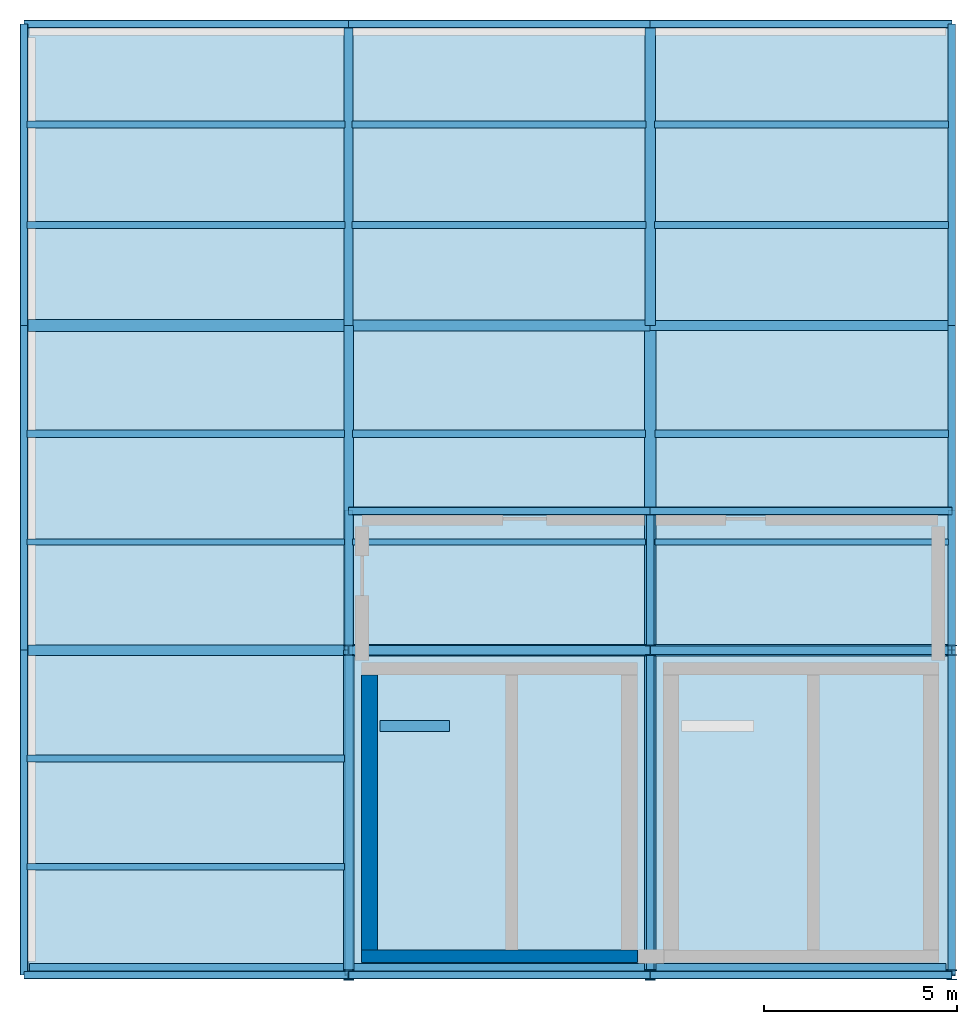
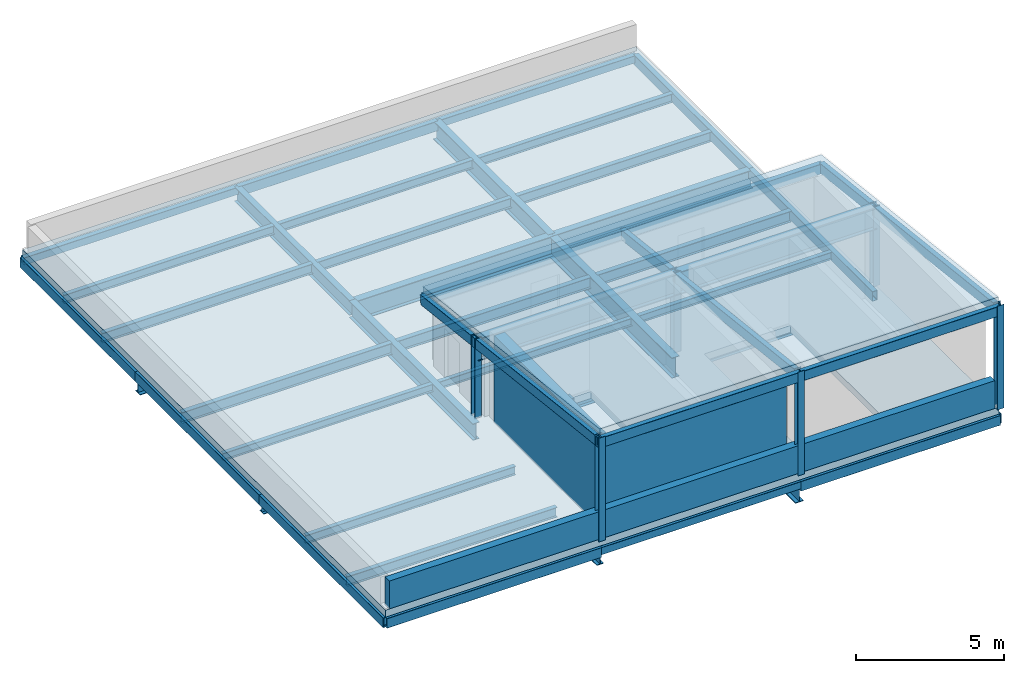
# One storey, part 1 of 3: 47 beams, 6 columns, 4 walls, 2 slabs.
"""IFC4 building model written with IfcOpenShell, lengths in metres."""

from ifc_helpers import new_model, si_unit, direction, frame, frame_2d, origin_with_axes, origin_2d_with_axis, place, context, subcontext, project, spatial, polyline, rectangle, hollow_rectangle, i_section, outline, extrude, material, layer, layer_set, material_profile, profile_set, type_object, element, save


model = new_model("IFC4")

# Units and contexts
model_context = context("Model", 3, precision=1e-05, world=origin_with_axes(), true_north=direction((0.0, 1.0)))
body_context = subcontext(model_context, "Body", "Model", "MODEL_VIEW")
ifc_project = project(units=[si_unit("LENGTHUNIT", "METRE"), si_unit("AREAUNIT", "SQUARE_METRE"), si_unit("VOLUMEUNIT", "CUBIC_METRE"), si_unit("PLANEANGLEUNIT", "RADIAN"), si_unit("MASSUNIT", "GRAM", prefix="KILO"), si_unit("THERMODYNAMICTEMPERATUREUNIT", "KELVIN")], contexts=[model_context])

# Site, building, storey
site_placement = place(None, origin_with_axes())
site = spatial("IfcSite", under=ifc_project, at=site_placement, CompositionType="ELEMENT")
building_placement = place(site_placement, origin_with_axes())
building = spatial("IfcBuilding", under=site, at=building_placement, Name="Montbau Bow Law Courts", CompositionType="ELEMENT")
storey_placement = place(building_placement, frame((0.0, 0.0, 48.0), z_axis=(0.0, 0.0, 1.0), x_axis=(1.0, 0.0, 0.0)))
storey = spatial("IfcBuildingStorey", under=building, at=storey_placement, Name="Roof", CompositionType="ELEMENT", Elevation=48.0)

# Columns
ifc_material_1 = material(Name="Steel CSA G40.21 Grade 350W (350 MPa)", Category="steel")
ifc_material_profile_1 = material_profile(ifc_material_1, i_section(OverallWidth=0.256, OverallDepth=0.26, WebThickness=0.0107, FlangeThickness=0.0173, at=origin_2d_with_axis()), Name="W250X89", Category="Main", Priority=0)
ifc_profile_set_1 = profile_set([ifc_material_profile_1], Name="Steel CSA G40.21 Grade 350W (350 MPa)")
column_type = type_object("IfcColumnType", Name="C-STL-08", PredefinedType="COLUMN", material=ifc_profile_set_1)
column_1_placement = place(None, frame((147.0, 86.4, 48.0), z_axis=(0.0, 0.0, 1.0), x_axis=(1.0, 0.0, 0.0)))
element("IfcColumn", 1, at=column_1_placement, inside=storey, type_object=column_type, Name="C-RF-S01:col2_1098", PredefinedType="COLUMN", context=body_context, shape_type="SweptSolid", body=[
    extrude(i_section(OverallWidth=0.256, OverallDepth=0.26, WebThickness=0.0107, FlangeThickness=0.0173, at=origin_2d_with_axis()), origin_with_axes(), (0.0, 0.0, 1.0), 4.288),
])
column_2_placement = place(None, frame((147.0, 94.8, 48.0), z_axis=(0.0, 0.0, 1.0), x_axis=(1.0, 0.0, 0.0)))
element("IfcColumn", 2, at=column_2_placement, inside=storey, type_object=column_type, Name="C-RF-S02:col2_1099", PredefinedType="COLUMN", context=body_context, shape_type="SweptSolid", body=[
    extrude(i_section(OverallWidth=0.256, OverallDepth=0.26, WebThickness=0.0107, FlangeThickness=0.0173, at=origin_2d_with_axis()), origin_with_axes(), (0.0, 0.0, 1.0), 3.322),
])
column_3_placement = place(None, frame((154.8, 86.4, 48.0), z_axis=(0.0, 0.0, 1.0), x_axis=(1.0, 0.0, 0.0)))
element("IfcColumn", 3, at=column_3_placement, inside=storey, type_object=column_type, Name="C-RF-S03:col2_1100", PredefinedType="COLUMN", context=body_context, shape_type="SweptSolid", body=[
    extrude(i_section(OverallWidth=0.256, OverallDepth=0.26, WebThickness=0.0107, FlangeThickness=0.0173, at=origin_2d_with_axis()), origin_with_axes(), (0.0, 0.0, 1.0), 4.288),
])
column_4_placement = place(None, frame((154.8, 94.8, 48.0), z_axis=(0.0, 0.0, 1.0), x_axis=(1.0, 0.0, 0.0)))
element("IfcColumn", 4, at=column_4_placement, inside=storey, type_object=column_type, Name="C-RF-S04:col2_1101", PredefinedType="COLUMN", context=body_context, shape_type="SweptSolid", body=[
    extrude(i_section(OverallWidth=0.256, OverallDepth=0.26, WebThickness=0.0107, FlangeThickness=0.0173, at=origin_2d_with_axis()), origin_with_axes(), (0.0, 0.0, 1.0), 3.322),
])
column_5_placement = place(None, frame((162.6, 86.4, 48.0), z_axis=(0.0, 0.0, 1.0), x_axis=(1.0, 0.0, 0.0)))
element("IfcColumn", 5, at=column_5_placement, inside=storey, type_object=column_type, Name="C-RF-S05:col2_1102", PredefinedType="COLUMN", context=body_context, shape_type="SweptSolid", body=[
    extrude(i_section(OverallWidth=0.256, OverallDepth=0.26, WebThickness=0.0107, FlangeThickness=0.0173, at=origin_2d_with_axis()), origin_with_axes(), (0.0, 0.0, 1.0), 4.288),
])
column_6_placement = place(None, frame((162.6, 94.8, 48.0), z_axis=(0.0, 0.0, 1.0), x_axis=(1.0, 0.0, 0.0)))
element("IfcColumn", 6, at=column_6_placement, inside=storey, type_object=column_type, Name="C-RF-S06:col2_1103", PredefinedType="COLUMN", context=body_context, shape_type="SweptSolid", body=[
    extrude(i_section(OverallWidth=0.256, OverallDepth=0.26, WebThickness=0.0107, FlangeThickness=0.0173, at=origin_2d_with_axis()), origin_with_axes(), (0.0, 0.0, 1.0), 3.322),
])

# Beams
ifc_material_profile_2 = material_profile(ifc_material_1, i_section(OverallWidth=0.306, OverallDepth=0.919, WebThickness=0.0173, FlangeThickness=0.0279, at=origin_2d_with_axis()), Name="W920X253", Category="Main", Priority=0)
ifc_profile_set_2 = profile_set([ifc_material_profile_2], Name="Steel CSA G40.21 Grade 350W (350 MPa)")
beam_type_1 = type_object("IfcBeamType", Name="B-FLR-01", PredefinedType="BEAM", material=ifc_profile_set_2)
for number, where, z_axis, x_axis, name in (
    (7, (147.0, 94.8, 50.818), (1.0, 0.0, 0.0), (0.0, 1.0, 0.0), "BM-Roof-S0119:bm2_0122"),
    (8, (154.8, 94.8, 50.818), (1.0, 0.0, 0.0), (0.0, 1.0, 0.0), "BM-Roof-S0122:bm2_0125"),
):
    element("IfcBeam", number, at=place(None, frame(where, z_axis=z_axis, x_axis=x_axis)), inside=storey, type_object=beam_type_1, Name=name, PredefinedType="BEAM", context=body_context, shape_type="SweptSolid", body=[
        extrude(i_section(OverallWidth=0.306, OverallDepth=0.919, WebThickness=0.0173, FlangeThickness=0.0279, at=origin_2d_with_axis()), origin_with_axes(), (0.0, 0.0, 1.0), 7.8),
    ])
for number, where, z_axis, x_axis, name in (
    (9, (138.6, 103.2, 47.251), (1.0, 0.0, 0.0), (0.0, 1.0, 0.0), "BM-Roof-S1421:bm2_1424"),
    (10, (154.8, 86.4, 47.251), (0.0, 1.0, 0.0), (-1.0, 0.0, 0.0), "BM-Roof-S1433:bm2_1436"),
):
    element("IfcBeam", number, at=place(None, frame(where, z_axis=z_axis, x_axis=x_axis)), inside=storey, type_object=beam_type_1, Name=name, PredefinedType="BEAM", context=body_context, shape_type="SweptSolid", body=[
        extrude(i_section(OverallWidth=0.306, OverallDepth=0.919, WebThickness=0.0173, FlangeThickness=0.0279, at=origin_2d_with_axis()), origin_with_axes(), (0.0, 0.0, 1.0), 8.4),
    ])
ifc_material_profile_3 = material_profile(ifc_material_1, i_section(OverallWidth=0.293, OverallDepth=0.846, WebThickness=0.0154, FlangeThickness=0.0244, at=origin_2d_with_axis()), Name="W840X210", Category="Main", Priority=0)
ifc_profile_set_3 = profile_set([ifc_material_profile_3], Name="Steel CSA G40.21 Grade 350W (350 MPa)")
beam_type_2 = type_object("IfcBeamType", Name="B-FLR-02", PredefinedType="BEAM", material=ifc_profile_set_3)
beam_1_placement = place(None, frame((147.0, 103.2, 47.287), z_axis=(1.0, 0.0, 0.0), x_axis=(0.0, 1.0, 0.0)))
element("IfcBeam", 11, at=beam_1_placement, inside=storey, type_object=beam_type_2, Name="BM-Roof-S1422:bm2_1425", PredefinedType="BEAM", context=body_context, shape_type="SweptSolid", body=[
    extrude(i_section(OverallWidth=0.293, OverallDepth=0.846, WebThickness=0.0154, FlangeThickness=0.0244, at=origin_2d_with_axis()), origin_with_axes(), (0.0, 0.0, 1.0), 7.8),
])
beam_2_placement = place(None, frame((154.8, 94.8, 47.287), z_axis=(0.0, 1.0, 0.0), x_axis=(-1.0, 0.0, 0.0)))
element("IfcBeam", 12, at=beam_2_placement, inside=storey, type_object=beam_type_2, Name="BM-Roof-S1434:bm2_1437", PredefinedType="BEAM", context=body_context, shape_type="SweptSolid", body=[
    extrude(i_section(OverallWidth=0.293, OverallDepth=0.846, WebThickness=0.0154, FlangeThickness=0.0244, at=origin_2d_with_axis()), origin_with_axes(), (0.0, 0.0, 1.0), 8.4),
])
ifc_material_profile_4 = material_profile(ifc_material_1, i_section(OverallWidth=0.267, OverallDepth=0.766, WebThickness=0.0149, FlangeThickness=0.0236, at=origin_2d_with_axis()), Name="W760X185", Category="Main", Priority=0)
ifc_profile_set_4 = profile_set([ifc_material_profile_4], Name="Steel CSA G40.21 Grade 350W (350 MPa)")
beam_type_3 = type_object("IfcBeamType", Name="B-FLR-03", PredefinedType="BEAM", material=ifc_profile_set_4)
beam_3_placement = place(None, frame((138.6, 94.8, 47.327), z_axis=(1.0, 0.0, 0.0), x_axis=(0.0, 1.0, 0.0)))
element("IfcBeam", 13, at=beam_3_placement, inside=storey, type_object=beam_type_3, Name="BM-Roof-S1418:bm2_1421", PredefinedType="BEAM", context=body_context, shape_type="SweptSolid", body=[
    extrude(i_section(OverallWidth=0.267, OverallDepth=0.766, WebThickness=0.0149, FlangeThickness=0.0236, at=origin_2d_with_axis()), origin_with_axes(), (0.0, 0.0, 1.0), 8.4),
])
beam_4_placement = place(None, frame((154.8, 103.2, 47.327), z_axis=(1.0, 0.0, 0.0), x_axis=(0.0, 1.0, 0.0)))
element("IfcBeam", 14, at=beam_4_placement, inside=storey, type_object=beam_type_3, Name="BM-Roof-S1423:bm2_1426", PredefinedType="BEAM", context=body_context, shape_type="SweptSolid", body=[
    extrude(i_section(OverallWidth=0.267, OverallDepth=0.766, WebThickness=0.0149, FlangeThickness=0.0236, at=origin_2d_with_axis()), origin_with_axes(), (0.0, 0.0, 1.0), 7.8),
])
beam_5_placement = place(None, frame((147.0, 86.4, 47.327), z_axis=(0.0, 1.0, 0.0), x_axis=(-1.0, 0.0, 0.0)))
element("IfcBeam", 15, at=beam_5_placement, inside=storey, type_object=beam_type_3, Name="BM-Roof-S1430:bm2_1433", PredefinedType="BEAM", context=body_context, shape_type="SweptSolid", body=[
    extrude(i_section(OverallWidth=0.267, OverallDepth=0.766, WebThickness=0.0149, FlangeThickness=0.0236, at=origin_2d_with_axis()), origin_with_axes(), (0.0, 0.0, 1.0), 8.4),
])
beam_6_placement = place(None, frame((154.8, 103.2, 47.327), z_axis=(0.0, 1.0, 0.0), x_axis=(-1.0, 0.0, 0.0)))
element("IfcBeam", 16, at=beam_6_placement, inside=storey, type_object=beam_type_3, Name="BM-Roof-S1435:bm2_1438", PredefinedType="BEAM", context=body_context, shape_type="SweptSolid", body=[
    extrude(i_section(OverallWidth=0.267, OverallDepth=0.766, WebThickness=0.0149, FlangeThickness=0.0236, at=origin_2d_with_axis()), origin_with_axes(), (0.0, 0.0, 1.0), 7.8),
])
ifc_material_profile_5 = material_profile(ifc_material_1, i_section(OverallWidth=0.254, OverallDepth=0.688, WebThickness=0.0131, FlangeThickness=0.0211, at=origin_2d_with_axis()), Name="W690X152", Category="Main", Priority=0)
ifc_profile_set_5 = profile_set([ifc_material_profile_5], Name="Steel CSA G40.21 Grade 350W (350 MPa)")
beam_type_4 = type_object("IfcBeamType", Name="B-FLR-04", PredefinedType="BEAM", material=ifc_profile_set_5)
beam_7_placement = place(None, frame((147.0, 94.8, 47.366), z_axis=(1.0, 0.0, 0.0), x_axis=(0.0, 1.0, 0.0)))
element("IfcBeam", 17, at=beam_7_placement, inside=storey, type_object=beam_type_4, Name="BM-Roof-S1419:bm2_1422", PredefinedType="BEAM", context=body_context, shape_type="SweptSolid", body=[
    extrude(i_section(OverallWidth=0.254, OverallDepth=0.688, WebThickness=0.0131, FlangeThickness=0.0211, at=origin_2d_with_axis()), origin_with_axes(), (0.0, 0.0, 1.0), 7.8),
])
beam_8_placement = place(None, frame((147.0, 94.8, 47.366), z_axis=(0.0, 1.0, 0.0), x_axis=(-1.0, 0.0, 0.0)))
element("IfcBeam", 18, at=beam_8_placement, inside=storey, type_object=beam_type_4, Name="BM-Roof-S1431:bm2_1434", PredefinedType="BEAM", context=body_context, shape_type="SweptSolid", body=[
    extrude(i_section(OverallWidth=0.254, OverallDepth=0.688, WebThickness=0.0131, FlangeThickness=0.0211, at=origin_2d_with_axis()), origin_with_axes(), (0.0, 0.0, 1.0), 8.4),
])
ifc_material_profile_6 = material_profile(ifc_material_1, i_section(OverallWidth=0.229, OverallDepth=0.612, WebThickness=0.0119, FlangeThickness=0.0196, at=origin_2d_with_axis()), Name="W610X125", Category="Main", Priority=0)
ifc_profile_set_6 = profile_set([ifc_material_profile_6], Name="Steel CSA G40.21 Grade 350W (350 MPa)")
beam_type_5 = type_object("IfcBeamType", Name="B-FLR-05", PredefinedType="BEAM", material=ifc_profile_set_6)
for number, where, z_axis, x_axis, name in (
    (19, (154.8, 94.8, 47.404), (1.0, 0.0, 0.0), (0.0, 1.0, 0.0), "BM-Roof-S1420:bm2_1423"),
    (20, (147.0, 103.2, 47.404), (0.0, 1.0, 0.0), (-1.0, 0.0, 0.0), "BM-Roof-S1432:bm2_1435"),
):
    element("IfcBeam", number, at=place(None, frame(where, z_axis=z_axis, x_axis=x_axis)), inside=storey, type_object=beam_type_5, Name=name, PredefinedType="BEAM", context=body_context, shape_type="SweptSolid", body=[
        extrude(i_section(OverallWidth=0.229, OverallDepth=0.612, WebThickness=0.0119, FlangeThickness=0.0196, at=origin_2d_with_axis()), origin_with_axes(), (0.0, 0.0, 1.0), 7.8),
    ])
ifc_material_profile_7 = material_profile(ifc_material_1, i_section(OverallWidth=0.191, OverallDepth=0.46, WebThickness=0.0099, FlangeThickness=0.016, at=origin_2d_with_axis()), Name="W460X82", Category="Main", Priority=0)
ifc_profile_set_7 = profile_set([ifc_material_profile_7], Name="Steel CSA G40.21 Grade 350W (350 MPa)")
beam_type_6 = type_object("IfcBeamType", Name="B-JST-01", PredefinedType="JOIST", material=ifc_profile_set_7)
beam_9_placement = place(None, frame((138.68, 100.4, 47.48), z_axis=(1.0, 0.0, 0.0), x_axis=(0.0, 1.0, 0.0)))
element("IfcBeam", 21, at=beam_9_placement, inside=storey, type_object=beam_type_6, Name="JST-Roof-S0796:jst2_0796", PredefinedType="JOIST", context=body_context, shape_type="SweptSolid", body=[
    extrude(i_section(OverallWidth=0.191, OverallDepth=0.46, WebThickness=0.0099, FlangeThickness=0.016, at=origin_2d_with_axis()), origin_with_axes(), (0.0, 0.0, 1.0), 8.217),
])
beam_10_placement = place(None, frame((147.103, 100.4, 47.48), z_axis=(1.0, 0.0, 0.0), x_axis=(0.0, 1.0, 0.0)))
element("IfcBeam", 22, at=beam_10_placement, inside=storey, type_object=beam_type_6, Name="JST-Roof-S0800:jst2_0800", PredefinedType="JOIST", context=body_context, shape_type="SweptSolid", body=[
    extrude(i_section(OverallWidth=0.191, OverallDepth=0.46, WebThickness=0.0099, FlangeThickness=0.016, at=origin_2d_with_axis()), origin_with_axes(), (0.0, 0.0, 1.0), 7.575),
])
beam_11_placement = place(None, frame((154.923, 100.4, 47.48), z_axis=(1.0, 0.0, 0.0), x_axis=(0.0, 1.0, 0.0)))
element("IfcBeam", 23, at=beam_11_placement, inside=storey, type_object=beam_type_6, Name="JST-Roof-S0804:jst2_0804", PredefinedType="JOIST", context=body_context, shape_type="SweptSolid", body=[
    extrude(i_section(OverallWidth=0.191, OverallDepth=0.46, WebThickness=0.0099, FlangeThickness=0.016, at=origin_2d_with_axis()), origin_with_axes(), (0.0, 0.0, 1.0), 7.597),
])
ifc_material_profile_8 = material_profile(ifc_material_1, i_section(OverallWidth=0.179, OverallDepth=0.41, WebThickness=0.0088, FlangeThickness=0.0144, at=origin_2d_with_axis()), Name="W410X67", Category="Main", Priority=0)
ifc_profile_set_8 = profile_set([ifc_material_profile_8], Name="Steel CSA G40.21 Grade 350W (350 MPa)")
beam_type_7 = type_object("IfcBeamType", Name="B-JST-02", PredefinedType="JOIST", material=ifc_profile_set_8)
beam_12_placement = place(None, frame((138.68, 89.2, 47.505), z_axis=(1.0, 0.0, 0.0), x_axis=(0.0, 1.0, 0.0)))
element("IfcBeam", 24, at=beam_12_placement, inside=storey, type_object=beam_type_7, Name="JST-Roof-S0793:jst2_0793", PredefinedType="JOIST", context=body_context, shape_type="SweptSolid", body=[
    extrude(i_section(OverallWidth=0.179, OverallDepth=0.41, WebThickness=0.0088, FlangeThickness=0.0144, at=origin_2d_with_axis()), origin_with_axes(), (0.0, 0.0, 1.0), 8.211),
])
beam_13_placement = place(None, frame((138.68, 105.8, 47.505), z_axis=(1.0, 0.0, 0.0), x_axis=(0.0, 1.0, 0.0)))
element("IfcBeam", 25, at=beam_13_placement, inside=storey, type_object=beam_type_7, Name="JST-Roof-S0797:jst2_0797", PredefinedType="JOIST", context=body_context, shape_type="SweptSolid", body=[
    extrude(i_section(OverallWidth=0.179, OverallDepth=0.41, WebThickness=0.0088, FlangeThickness=0.0144, at=origin_2d_with_axis()), origin_with_axes(), (0.0, 0.0, 1.0), 8.23),
])
beam_14_placement = place(None, frame((147.09, 105.8, 47.505), z_axis=(1.0, 0.0, 0.0), x_axis=(0.0, 1.0, 0.0)))
element("IfcBeam", 26, at=beam_14_placement, inside=storey, type_object=beam_type_7, Name="JST-Roof-S0801:jst2_0801", PredefinedType="JOIST", context=body_context, shape_type="SweptSolid", body=[
    extrude(i_section(OverallWidth=0.179, OverallDepth=0.41, WebThickness=0.0088, FlangeThickness=0.0144, at=origin_2d_with_axis()), origin_with_axes(), (0.0, 0.0, 1.0), 7.601),
])
beam_15_placement = place(None, frame((154.91, 105.8, 47.505), z_axis=(1.0, 0.0, 0.0), x_axis=(0.0, 1.0, 0.0)))
element("IfcBeam", 27, at=beam_15_placement, inside=storey, type_object=beam_type_7, Name="JST-Roof-S0805:jst2_0805", PredefinedType="JOIST", context=body_context, shape_type="SweptSolid", body=[
    extrude(i_section(OverallWidth=0.179, OverallDepth=0.41, WebThickness=0.0088, FlangeThickness=0.0144, at=origin_2d_with_axis()), origin_with_axes(), (0.0, 0.0, 1.0), 7.61),
])
ifc_material_profile_9 = material_profile(ifc_material_1, i_section(OverallWidth=0.172, OverallDepth=0.358, WebThickness=0.0079, FlangeThickness=0.0131, at=origin_2d_with_axis()), Name="W360X57", Category="Main", Priority=0)
ifc_profile_set_9 = profile_set([ifc_material_profile_9], Name="Steel CSA G40.21 Grade 350W (350 MPa)")
beam_type_8 = type_object("IfcBeamType", Name="B-JST-03", PredefinedType="JOIST", material=ifc_profile_set_9)
beam_16_placement = place(None, frame((138.68, 92.0, 47.531), z_axis=(1.0, 0.0, 0.0), x_axis=(0.0, 1.0, 0.0)))
element("IfcBeam", 28, at=beam_16_placement, inside=storey, type_object=beam_type_8, Name="JST-Roof-S0794:jst2_0794", PredefinedType="JOIST", context=body_context, shape_type="SweptSolid", body=[
    extrude(i_section(OverallWidth=0.172, OverallDepth=0.358, WebThickness=0.0079, FlangeThickness=0.0131, at=origin_2d_with_axis()), origin_with_axes(), (0.0, 0.0, 1.0), 8.211),
])
beam_17_placement = place(None, frame((138.68, 108.4, 47.531), z_axis=(1.0, 0.0, 0.0), x_axis=(0.0, 1.0, 0.0)))
element("IfcBeam", 29, at=beam_17_placement, inside=storey, type_object=beam_type_8, Name="JST-Roof-S0798:jst2_0798", PredefinedType="JOIST", context=body_context, shape_type="SweptSolid", body=[
    extrude(i_section(OverallWidth=0.172, OverallDepth=0.358, WebThickness=0.0079, FlangeThickness=0.0131, at=origin_2d_with_axis()), origin_with_axes(), (0.0, 0.0, 1.0), 8.23),
])
beam_18_placement = place(None, frame((147.09, 108.4, 47.531), z_axis=(1.0, 0.0, 0.0), x_axis=(0.0, 1.0, 0.0)))
element("IfcBeam", 30, at=beam_18_placement, inside=storey, type_object=beam_type_8, Name="JST-Roof-S0802:jst2_0802", PredefinedType="JOIST", context=body_context, shape_type="SweptSolid", body=[
    extrude(i_section(OverallWidth=0.172, OverallDepth=0.358, WebThickness=0.0079, FlangeThickness=0.0131, at=origin_2d_with_axis()), origin_with_axes(), (0.0, 0.0, 1.0), 7.601),
])
beam_19_placement = place(None, frame((154.91, 108.4, 47.531), z_axis=(1.0, 0.0, 0.0), x_axis=(0.0, 1.0, 0.0)))
element("IfcBeam", 31, at=beam_19_placement, inside=storey, type_object=beam_type_8, Name="JST-Roof-S0806:jst2_0806", PredefinedType="JOIST", context=body_context, shape_type="SweptSolid", body=[
    extrude(i_section(OverallWidth=0.172, OverallDepth=0.358, WebThickness=0.0079, FlangeThickness=0.0131, at=origin_2d_with_axis()), origin_with_axes(), (0.0, 0.0, 1.0), 7.61),
])
ifc_material_profile_10 = material_profile(ifc_material_1, i_section(OverallWidth=0.166, OverallDepth=0.313, WebThickness=0.0066, FlangeThickness=0.0112, at=origin_2d_with_axis()), Name="W310X45", Category="Main", Priority=0)
ifc_profile_set_10 = profile_set([ifc_material_profile_10], Name="Steel CSA G40.21 Grade 350W (350 MPa)")
beam_type_9 = type_object("IfcBeamType", Name="B-JST-04", PredefinedType="JOIST", material=ifc_profile_set_10)
beam_20_placement = place(None, frame((138.68, 97.6, 47.553), z_axis=(1.0, 0.0, 0.0), x_axis=(0.0, 1.0, 0.0)))
element("IfcBeam", 32, at=beam_20_placement, inside=storey, type_object=beam_type_9, Name="JST-Roof-S0795:jst2_0795", PredefinedType="JOIST", context=body_context, shape_type="SweptSolid", body=[
    extrude(i_section(OverallWidth=0.166, OverallDepth=0.313, WebThickness=0.0066, FlangeThickness=0.0112, at=origin_2d_with_axis()), origin_with_axes(), (0.0, 0.0, 1.0), 8.217),
])
beam_21_placement = place(None, frame((147.103, 97.6, 47.553), z_axis=(1.0, 0.0, 0.0), x_axis=(0.0, 1.0, 0.0)))
element("IfcBeam", 33, at=beam_21_placement, inside=storey, type_object=beam_type_9, Name="JST-Roof-S0799:jst2_0799", PredefinedType="JOIST", context=body_context, shape_type="SweptSolid", body=[
    extrude(i_section(OverallWidth=0.166, OverallDepth=0.313, WebThickness=0.0066, FlangeThickness=0.0112, at=origin_2d_with_axis()), origin_with_axes(), (0.0, 0.0, 1.0), 7.575),
])
beam_22_placement = place(None, frame((154.923, 97.6, 47.553), z_axis=(1.0, 0.0, 0.0), x_axis=(0.0, 1.0, 0.0)))
element("IfcBeam", 34, at=beam_22_placement, inside=storey, type_object=beam_type_9, Name="JST-Roof-S0803:jst2_0803", PredefinedType="JOIST", context=body_context, shape_type="SweptSolid", body=[
    extrude(i_section(OverallWidth=0.166, OverallDepth=0.313, WebThickness=0.0066, FlangeThickness=0.0112, at=origin_2d_with_axis()), origin_with_axes(), (0.0, 0.0, 1.0), 7.597),
])
ifc_material_2 = material(Name="Steel CSA G40.21 Grade 350WT (350 MPa)", Category="steel")
ifc_material_profile_11 = material_profile(ifc_material_2, hollow_rectangle(XDim=0.203, YDim=0.406, WallThickness=0.0127, InnerFilletRadius=0.0254, OuterFilletRadius=0.0127, at=origin_2d_with_axis()), Name="HSS406X203X13", Category="Main", Priority=0)
ifc_profile_set_11 = profile_set([ifc_material_profile_11], Name="Steel CSA G40.21 Grade 350WT (350 MPa)")
beam_type_10 = type_object("IfcBeamType", Name="B-SPN-01", PredefinedType="SPANDREL", material=ifc_profile_set_11)
for number, where, z_axis, x_axis, name in (
    (35, (147.0, 86.4, 52.04), (1.0, 0.0, 0.0), (0.0, 1.0, 0.0), "SPN-Roof-S0118:bm2_0121"),
    (36, (147.0, 98.4, 50.66), (1.0, 0.0, 0.0), (0.0, 1.0, 0.0), "SPN-Roof-S0120:bm2_0123"),
    (37, (154.8, 86.4, 52.04), (1.0, 0.0, 0.0), (0.0, 1.0, 0.0), "SPN-Roof-S0121:bm2_0124"),
    (38, (154.8, 98.4, 50.66), (1.0, 0.0, 0.0), (0.0, 1.0, 0.0), "SPN-Roof-S0123:bm2_0126"),
):
    element("IfcBeam", number, at=place(None, frame(where, z_axis=z_axis, x_axis=x_axis)), inside=storey, type_object=beam_type_10, Name=name, PredefinedType="SPANDREL", context=body_context, shape_type="SweptSolid", body=[
        extrude(hollow_rectangle(XDim=0.203, YDim=0.406, WallThickness=0.0127, InnerFilletRadius=0.0254, OuterFilletRadius=0.0127, at=origin_2d_with_axis()), origin_with_axes(), (0.0, 0.0, 1.0), 7.8),
    ])
for number, where, z_axis, x_axis, name in (
    (39, (147.0, 86.4, 52.04), (0.0, 0.993452373, -0.114247023), (-1.0, 0.0, 0.0), "SPN-Roof-S0124:bm2_0127"),
    (40, (154.8, 86.4, 52.04), (0.0, 0.993452373, -0.114247023), (-1.0, 0.0, 0.0), "SPN-Roof-S0125:bm2_0128"),
    (41, (162.6, 86.4, 52.04), (0.0, 0.993452373, -0.114247023), (-1.0, 0.0, 0.0), "SPN-Roof-S0126:bm2_0129"),
):
    element("IfcBeam", number, at=place(None, frame(where, z_axis=z_axis, x_axis=x_axis)), inside=storey, type_object=beam_type_10, Name=name, PredefinedType="SPANDREL", context=body_context, shape_type="SweptSolid", body=[
        extrude(hollow_rectangle(XDim=0.203, YDim=0.406, WallThickness=0.0127, InnerFilletRadius=0.0254, OuterFilletRadius=0.0127, at=origin_2d_with_axis()), origin_with_axes(), (0.0, 0.0, 1.0), 12.079089),
    ])
beam_23_placement = place(None, frame((138.6, 86.4, 47.507), z_axis=(1.0, 0.0, 0.0), x_axis=(0.0, 1.0, 0.0)))
element("IfcBeam", 42, at=beam_23_placement, inside=storey, type_object=beam_type_10, Name="SPN-Roof-S1415:bm2_1418", PredefinedType="SPANDREL", context=body_context, shape_type="SweptSolid", body=[
    extrude(hollow_rectangle(XDim=0.203, YDim=0.406, WallThickness=0.0127, InnerFilletRadius=0.0254, OuterFilletRadius=0.0127, at=origin_2d_with_axis()), origin_with_axes(), (0.0, 0.0, 1.0), 8.4),
])
for number, where, z_axis, x_axis, name in (
    (43, (154.8, 86.4, 47.507), (1.0, 0.0, 0.0), (0.0, 1.0, 0.0), "SPN-Roof-S1417:bm2_1420"),
    (44, (147.0, 111.0, 47.507), (1.0, 0.0, 0.0), (0.0, 1.0, 0.0), "SPN-Roof-S1425:bm2_1428"),
):
    element("IfcBeam", number, at=place(None, frame(where, z_axis=z_axis, x_axis=x_axis)), inside=storey, type_object=beam_type_10, Name=name, PredefinedType="SPANDREL", context=body_context, shape_type="SweptSolid", body=[
        extrude(hollow_rectangle(XDim=0.203, YDim=0.406, WallThickness=0.0127, InnerFilletRadius=0.0254, OuterFilletRadius=0.0127, at=origin_2d_with_axis()), origin_with_axes(), (0.0, 0.0, 1.0), 7.8),
    ])
for number, where, z_axis, x_axis, name in (
    (45, (138.6, 86.4, 47.507), (0.0, 1.0, 0.0), (-1.0, 0.0, 0.0), "SPN-Roof-S1427:bm2_1430"),
    (46, (138.6, 94.8, 47.507), (0.0, 1.0, 0.0), (-1.0, 0.0, 0.0), "SPN-Roof-S1428:bm2_1431"),
):
    element("IfcBeam", number, at=place(None, frame(where, z_axis=z_axis, x_axis=x_axis)), inside=storey, type_object=beam_type_10, Name=name, PredefinedType="SPANDREL", context=body_context, shape_type="SweptSolid", body=[
        extrude(hollow_rectangle(XDim=0.203, YDim=0.406, WallThickness=0.0127, InnerFilletRadius=0.0254, OuterFilletRadius=0.0127, at=origin_2d_with_axis()), origin_with_axes(), (0.0, 0.0, 1.0), 8.4),
    ])
beam_24_placement = place(None, frame((138.6, 103.2, 47.507), z_axis=(0.0, 1.0, 0.0), x_axis=(-1.0, 0.0, 0.0)))
element("IfcBeam", 47, at=beam_24_placement, inside=storey, type_object=beam_type_10, Name="SPN-Roof-S1429:bm2_1432", PredefinedType="SPANDREL", context=body_context, shape_type="SweptSolid", body=[
    extrude(hollow_rectangle(XDim=0.203, YDim=0.406, WallThickness=0.0127, InnerFilletRadius=0.0254, OuterFilletRadius=0.0127, at=origin_2d_with_axis()), origin_with_axes(), (0.0, 0.0, 1.0), 7.8),
])
for number, where, z_axis, x_axis, name in (
    (48, (162.6, 86.4, 47.507), (0.0, 1.0, 0.0), (-1.0, 0.0, 0.0), "SPN-Roof-S1436:bm2_1439"),
    (49, (162.6, 94.8, 47.507), (0.0, 1.0, 0.0), (-1.0, 0.0, 0.0), "SPN-Roof-S1437:bm2_1440"),
):
    element("IfcBeam", number, at=place(None, frame(where, z_axis=z_axis, x_axis=x_axis)), inside=storey, type_object=beam_type_10, Name=name, PredefinedType="SPANDREL", context=body_context, shape_type="SweptSolid", body=[
        extrude(hollow_rectangle(XDim=0.203, YDim=0.406, WallThickness=0.0127, InnerFilletRadius=0.0254, OuterFilletRadius=0.0127, at=origin_2d_with_axis()), origin_with_axes(), (0.0, 0.0, 1.0), 8.4),
    ])
beam_25_placement = place(None, frame((162.6, 103.2, 47.507), z_axis=(0.0, 1.0, 0.0), x_axis=(-1.0, 0.0, 0.0)))
element("IfcBeam", 50, at=beam_25_placement, inside=storey, type_object=beam_type_10, Name="SPN-Roof-S1438:bm2_1441", PredefinedType="SPANDREL", context=body_context, shape_type="SweptSolid", body=[
    extrude(hollow_rectangle(XDim=0.203, YDim=0.406, WallThickness=0.0127, InnerFilletRadius=0.0254, OuterFilletRadius=0.0127, at=origin_2d_with_axis()), origin_with_axes(), (0.0, 0.0, 1.0), 7.8),
])
ifc_material_profile_12 = material_profile(ifc_material_2, hollow_rectangle(XDim=0.203, YDim=0.305, WallThickness=0.0127, InnerFilletRadius=0.0254, OuterFilletRadius=0.0127, at=origin_2d_with_axis()), Name="HSS305X203X13", Category="Main", Priority=0)
ifc_profile_set_12 = profile_set([ifc_material_profile_12], Name="Steel CSA G40.21 Grade 350WT (350 MPa)")
beam_type_11 = type_object("IfcBeamType", Name="B-SPN-02", PredefinedType="SPANDREL", material=ifc_profile_set_12)
beam_26_placement = place(None, frame((147.0, 86.4, 47.557), z_axis=(1.0, 0.0, 0.0), x_axis=(0.0, 1.0, 0.0)))
element("IfcBeam", 51, at=beam_26_placement, inside=storey, type_object=beam_type_11, Name="SPN-Roof-S1416:bm2_1419", PredefinedType="SPANDREL", context=body_context, shape_type="SweptSolid", body=[
    extrude(hollow_rectangle(XDim=0.203, YDim=0.305, WallThickness=0.0127, InnerFilletRadius=0.0254, OuterFilletRadius=0.0127, at=origin_2d_with_axis()), origin_with_axes(), (0.0, 0.0, 1.0), 7.8),
])
beam_27_placement = place(None, frame((138.6, 111.0, 47.557), z_axis=(1.0, 0.0, 0.0), x_axis=(0.0, 1.0, 0.0)))
element("IfcBeam", 52, at=beam_27_placement, inside=storey, type_object=beam_type_11, Name="SPN-Roof-S1424:bm2_1427", PredefinedType="SPANDREL", context=body_context, shape_type="SweptSolid", body=[
    extrude(hollow_rectangle(XDim=0.203, YDim=0.305, WallThickness=0.0127, InnerFilletRadius=0.0254, OuterFilletRadius=0.0127, at=origin_2d_with_axis()), origin_with_axes(), (0.0, 0.0, 1.0), 8.4),
])
beam_28_placement = place(None, frame((154.8, 111.0, 47.557), z_axis=(1.0, 0.0, 0.0), x_axis=(0.0, 1.0, 0.0)))
element("IfcBeam", 53, at=beam_28_placement, inside=storey, type_object=beam_type_11, Name="SPN-Roof-S1426:bm2_1429", PredefinedType="SPANDREL", context=body_context, shape_type="SweptSolid", body=[
    extrude(hollow_rectangle(XDim=0.203, YDim=0.305, WallThickness=0.0127, InnerFilletRadius=0.0254, OuterFilletRadius=0.0127, at=origin_2d_with_axis()), origin_with_axes(), (0.0, 0.0, 1.0), 7.8),
])

# Slabs
ifc_material_3 = material(Name="Concrete CSA A23.1 f'c 40 MPa", Category="concrete")
ifc_layer_1 = layer(ifc_material_3, 0.25, Name="Roof Slab", Category="concrete")
ifc_layer_set_1 = layer_set([ifc_layer_1], Name="Concrete CSA A23.1 f'c 40 MPa")
slab_type_1 = type_object("IfcSlabType", Name="SL-ROF-01", PredefinedType="ROOF", material=ifc_layer_set_1)
slab_1_placement = place(None, frame((0.0, 0.0, 62.224352), z_axis=(0.0, 0.114247023, 0.993452373), x_axis=(1.0, 0.0, 0.0)))
element("IfcSlab", 54, at=slab_1_placement, inside=storey, type_object=slab_type_1, Name="RF-SLB-V5B:slb_0049", PredefinedType="ROOF", context=body_context, shape_type="SweptSolid", body=[
    extrude(outline(polyline([(147.0, 86.969443), (162.6, 86.969443), (162.6, 99.048533), (147.0, 99.048533), (147.0, 86.969443)])), origin_with_axes(), (0.0, 0.0, 1.0), 0.25),
])
ifc_layer_2 = layer(ifc_material_3, 0.29, Name="Roof Slab", Category="concrete")
ifc_layer_set_2 = layer_set([ifc_layer_2], Name="Concrete CSA A23.1 f'c 40 MPa")
slab_type_2 = type_object("IfcSlabType", Name="SL-ROF-02", PredefinedType="ROOF", material=ifc_layer_set_2)
slab_2_placement = place(None, frame((0.0, 0.0, 47.71), z_axis=(0.0, 0.0, 1.0), x_axis=(1.0, 0.0, 0.0)))
element("IfcSlab", 55, at=slab_2_placement, inside=storey, type_object=slab_type_2, Name="RF-SLB-V5:slb_0048", PredefinedType="ROOF", context=body_context, shape_type="SweptSolid", body=[
    extrude(outline(polyline([(138.6, 86.4), (162.6, 86.4), (162.6, 111.0), (138.6, 111.0), (138.6, 86.4)]), holes=[polyline([(147.72, 87.07), (151.1, 87.07), (151.1, 94.112), (147.72, 94.112), (147.72, 87.07)]), polyline([(155.52, 87.07), (158.9, 87.07), (158.9, 94.112), (155.52, 94.112), (155.52, 87.07)])]), origin_with_axes(), (0.0, 0.0, 1.0), 0.29),
])

# Walls
ifc_material_4 = material(Name="Concrete CSA A23.1 f'c 45 MPa", Category="concrete")
ifc_layer_3 = layer(ifc_material_4, 0.42, Name="Shear Wall", Category="concrete")
ifc_layer_set_3 = layer_set([ifc_layer_3], Name="Concrete CSA A23.1 f'c 45 MPa")
wall_type_1 = type_object("IfcWallType", Name="W-COR-03", PredefinedType="SHEAR", material=ifc_layer_set_3)
wall_1_placement = place(None, frame((147.54, 94.16, 48.0), z_axis=(0.0, 0.0, 1.0), x_axis=(0.0, -1.0, 0.0)))
element("IfcWall", 56, at=wall_1_placement, inside=storey, type_object=wall_type_1, Name="WC-Roof-0375:wal_0442", PredefinedType="SHEAR", context=body_context, shape_type="SweptSolid", body=[
    extrude(rectangle(XDim=7.11999999999999, YDim=0.42, at=frame_2d((3.56, 0.0), x_axis=(1.0, 0.0))), origin_with_axes(), (0.0, 0.0, 1.0), 3.6),
])
ifc_layer_4 = layer(ifc_material_4, 0.32, Name="Shear Wall", Category="concrete")
ifc_layer_set_4 = layer_set([ifc_layer_4], Name="Concrete CSA A23.1 f'c 45 MPa")
wall_type_2 = type_object("IfcWallType", Name="W-COR-05", PredefinedType="SHEAR", material=ifc_layer_set_4)
wall_2_placement = place(None, frame((147.33, 86.88, 48.0), z_axis=(0.0, 0.0, 1.0), x_axis=(1.0, 0.0, 0.0)))
element("IfcWall", 57, at=wall_2_placement, inside=storey, type_object=wall_type_2, Name="WC-Roof-0372:wal_0439", PredefinedType="SHEAR", context=body_context, shape_type="SweptSolid", body=[
    extrude(rectangle(XDim=7.139999999999986, YDim=0.32, at=frame_2d((3.57, 0.0), x_axis=(1.0, 0.0))), origin_with_axes(), (0.0, 0.0, 1.0), 3.6),
])
ifc_material_5 = material(Name="Insulated Limestone-Capped Roof Parapet Assembly", Category="masonry")
ifc_layer_5 = layer(ifc_material_5, 0.3, Name="Parapet", Category="masonry")
ifc_layer_set_5 = layer_set([ifc_layer_5], Name="Insulated Limestone-Capped Roof Parapet Assembly")
wall_type_3 = type_object("IfcWallType", Name="W-PAR-01", PredefinedType="PARAPET", material=ifc_layer_set_5)
wall_3_placement = place(None, frame((138.75, 86.55, 48.0), z_axis=(0.0, 0.0, 1.0), x_axis=(1.0, 0.0, 0.0)))
element("IfcWall", 58, at=wall_3_placement, inside=storey, type_object=wall_type_3, Name="PAR-Roof-05:par_0014", PredefinedType="PARAPET", context=body_context, shape_type="SweptSolid", body=[
    extrude(rectangle(XDim=23.69999999999999, YDim=0.3, at=frame_2d((11.85, 0.0), x_axis=(1.0, 0.0))), origin_with_axes(), (0.0, 0.0, 1.0), 1.15),
])
ifc_material_6 = material(Name="Insulated Terracotta-Coping Terrace Parapet Assembly", Category="masonry")
ifc_layer_6 = layer(ifc_material_6, 0.28, Name="Parapet", Category="masonry")
ifc_layer_set_6 = layer_set([ifc_layer_6], Name="Insulated Terracotta-Coping Terrace Parapet Assembly")
wall_type_4 = type_object("IfcWallType", Name="W-PAR-02", PredefinedType="PARAPET", material=ifc_layer_set_6)
wall_4_placement = place(None, frame((147.805, 92.84, 48.0), z_axis=(0.0, 0.0, 1.0), x_axis=(1.0, 0.0, 0.0)))
element("IfcWall", 59, at=wall_4_placement, inside=storey, type_object=wall_type_4, Name="PAR-ST-P2-L09-TOP:par_0021", PredefinedType="PARAPET", context=body_context, shape_type="SweptSolid", body=[
    extrude(rectangle(XDim=1.8050000000000068, YDim=0.28, at=frame_2d((0.9025, 0.0), x_axis=(1.0, 0.0))), origin_with_axes(), (0.0, 0.0, 1.0), 1.1),
])

save(model, "model.ifc")
